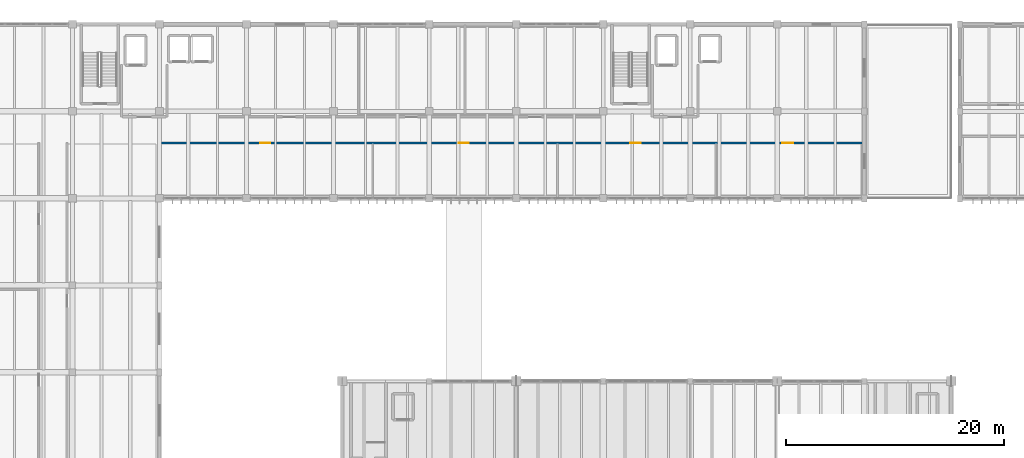
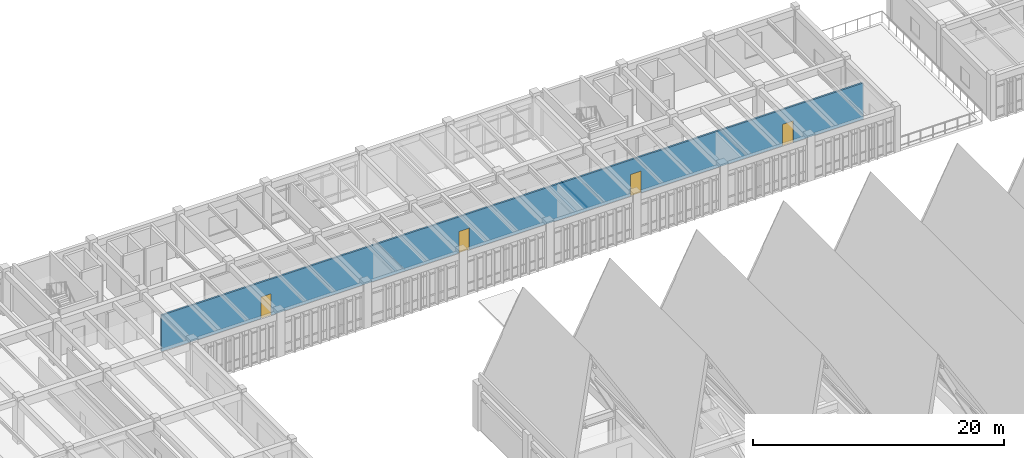
# One storey, part 49 of 72: 4 doors, 1 wall, 4 openings.
"""IFC4 building model written with IfcOpenShell, lengths in metres."""

import ifcopenshell
import ifcopenshell.guid

model = None  # the IFC model being written
_history = None  # IfcOwnerHistory: only IFC2X3 demands one
_inside = {}  # id of a spatial element -> (the spatial element, [elements in it])
_under = {}  # id of a project, library or spatial element -> (it, [spatial elements below it])
_declared = {}  # id of a project -> (the project, [libraries it declares])
_typed = {}  # id of a type object -> (the type object, [elements of that type])
_made_of = {}  # id of a material, layer set ... -> (it, [elements and type objects made of it])


def new_model(schema):
    """Start an empty IFC model of exactly this schema.

    Asked for "IFC4X3", IfcOpenShell would pick the latest addendum, in which some entities
    have other attributes; the version numbers below select the first issue.
    IFC2X3 requires an IfcOwnerHistory on every rooted entity: one is made here for all.
    """
    global model, _history
    if schema == "IFC4X3":
        model = ifcopenshell.file(schema_version=(4, 3, 0, 0))
    else:
        model = ifcopenshell.file(schema=schema)
    _inside.clear()
    _under.clear()
    _declared.clear()
    _typed.clear()
    _made_of.clear()
    _history = None
    if model.schema == "IFC2X3":
        org = make("IfcOrganization", Name="unknown")
        user = make(
            "IfcPersonAndOrganization",
            ThePerson=make("IfcPerson", FamilyName="unknown"),
            TheOrganization=org,
        )
        app = make(
            "IfcApplication",
            ApplicationDeveloper=org,
            Version="unknown",
            ApplicationFullName="unknown",
            ApplicationIdentifier="unknown",
        )
        _history = make(
            "IfcOwnerHistory",
            OwningUser=user,
            OwningApplication=app,
            ChangeAction="ADDED",
            CreationDate=0,
        )
    return model


def make(cls, **values):
    """One entity of the class cls with the attributes given. An attribute that is None is left unset."""
    return model.create_entity(
        cls, **{name: value for name, value in values.items() if value is not None}
    )


def rooted(cls, **values):
    """An entity with a GlobalId (a new one), such as an element, a storey or a relation."""
    return make(cls, GlobalId=ifcopenshell.guid.new(), OwnerHistory=_history, **values)


def si_unit(unit_type, name, prefix=None):
    """IfcSIUnit, for example si_unit("LENGTHUNIT", "METRE", prefix="MILLI")."""
    return make("IfcSIUnit", UnitType=unit_type, Prefix=prefix, Name=name)


def assignment(units):
    """IfcUnitAssignment: the units of a project."""
    return None if units is None else make("IfcUnitAssignment", Units=units)


def point(xyz):
    """IfcCartesianPoint."""
    return None if xyz is None else make("IfcCartesianPoint", Coordinates=xyz)


def direction(xyz):
    """IfcDirection."""
    return None if xyz is None else make("IfcDirection", DirectionRatios=xyz)


def frame(location, z_axis=None, x_axis=None):
    """IfcAxis2Placement3D, a coordinate frame: its origin and axes. An axis left out is left unset."""
    return make(
        "IfcAxis2Placement3D",
        Location=point(location),
        Axis=direction(z_axis),
        RefDirection=direction(x_axis),
    )


def frame_2d(location, x_axis=None):
    """IfcAxis2Placement2D, a coordinate frame in the plane: its origin and x axis."""
    return make(
        "IfcAxis2Placement2D", Location=point(location), RefDirection=direction(x_axis)
    )


def origin():
    """The frame at (0, 0, 0) with its axes left unset."""
    return frame((0.0, 0.0, 0.0))


def place(relative_to, where):
    """IfcLocalPlacement: puts the frame where relative to a parent placement (None: the world)."""
    return make(
        "IfcLocalPlacement", PlacementRelTo=relative_to, RelativePlacement=where
    )


def context(
    kind, dimensions, precision=None, world=None, true_north=None, identifier=None
):
    """IfcGeometricRepresentationContext, for example the 3D "Model" context."""
    return make(
        "IfcGeometricRepresentationContext",
        ContextIdentifier=identifier,
        ContextType=kind,
        CoordinateSpaceDimension=dimensions,
        Precision=precision,
        WorldCoordinateSystem=world,
        TrueNorth=true_north,
    )


def subcontext(parent, identifier, kind, view, scale=None):
    """IfcGeometricRepresentationSubContext, for example "Body" below "Model"."""
    return make(
        "IfcGeometricRepresentationSubContext",
        ContextIdentifier=identifier,
        ContextType=kind,
        ParentContext=parent,
        TargetScale=scale,
        TargetView=view,
    )


def project(units=None, contexts=None):
    """IfcProject with its units and contexts."""
    return rooted(
        "IfcProject",
        Name="project",
        RepresentationContexts=contexts,
        UnitsInContext=assignment(units),
    )


def spatial(cls, under=None, at=None, **own):
    """A site, building, storey or space (cls), placed at a placement, below another one or the project."""
    s = rooted(cls, ObjectPlacement=at, **own)
    if under is not None:
        _under.setdefault(under.id(), (under, []))[1].append(s)
    return s


def profile(cls, at=None, kind="AREA", **sizes):
    """A parametric profile (cls). Its sizes go by their IFC names, for example OverallWidth=200.0."""
    return make(cls, ProfileType=kind, Position=at, **sizes)


def rectangle(**sizes):
    """IfcRectangleProfileDef."""
    return profile("IfcRectangleProfileDef", **sizes)


def extrude(swept, where, along, depth):
    """IfcExtrudedAreaSolid: the profile swept, set in the frame where, extruded along a direction by depth."""
    return make(
        "IfcExtrudedAreaSolid",
        SweptArea=swept,
        Position=where,
        ExtrudedDirection=direction(along),
        Depth=depth,
    )


def shape(context_of_items, identifier, shape_type, items):
    """IfcShapeRepresentation: the items that make up one representation, for example the "Body"."""
    return make(
        "IfcShapeRepresentation",
        ContextOfItems=context_of_items,
        RepresentationIdentifier=identifier,
        RepresentationType=shape_type,
        Items=items,
    )


def material(Name=None, Category=None):
    """IfcMaterial."""
    return make("IfcMaterial", Name=Name, Category=Category)


def layer(
    of_material, thickness, ventilated=None, Name=None, Category=None, Priority=None
):
    """IfcMaterialLayer: one layer of a wall or slab, of a material (None: an air gap)."""
    return make(
        "IfcMaterialLayer",
        Material=of_material,
        LayerThickness=thickness,
        IsVentilated=ventilated,
        Name=Name,
        Category=Category,
        Priority=Priority,
    )


def layer_set(layers, Name=None):
    """IfcMaterialLayerSet."""
    return make("IfcMaterialLayerSet", MaterialLayers=layers, LayerSetName=Name)


def made_of(thing, what):
    """Note that an element or type object is made of a material, layer set ...; save() writes the relation."""
    if what is not None:
        _made_of.setdefault(what.id(), (what, []))[1].append(thing)
    return thing


def type_object(cls, material=None, **own):
    """A type object (cls), such as IfcWallType, which elements share."""
    return made_of(rooted(cls, **own), material)


def element(
    cls,
    number,
    at=None,
    inside=None,
    cuts=None,
    type_object=None,
    material=None,
    context=None,
    identifier="Body",
    shape_type=None,
    held_by="IfcProductDefinitionShape",
    body=None,
    shapes=None,
    **own,
):
    """One element of the class cls, such as IfcWall. Its Tag is "e" and its number.

    at: its placement. inside: the storey or other place that contains it. cuts: it is an
    opening in that element (IfcRelVoidsElement). A single representation is given by context,
    identifier, shape_type and body (its items); several are given by shapes. held_by: the class
    of the entity that holds the representations. save() writes the other relations.
    """
    e = rooted(cls, Tag="e%d" % number, ObjectPlacement=at, **own)
    if body is not None:
        shapes = [shape(context, identifier, shape_type, body)]
    if shapes is not None:
        e.Representation = make(held_by, Representations=shapes)
    if inside is not None:
        _inside.setdefault(inside.id(), (inside, []))[1].append(e)
    if cuts is not None:
        rooted(
            "IfcRelVoidsElement", RelatingBuildingElement=cuts, RelatedOpeningElement=e
        )
    if type_object is not None:
        _typed.setdefault(type_object.id(), (type_object, []))[1].append(e)
    return made_of(e, material)


def fill(opening, filler):
    """IfcRelFillsElement: the door or window that sits in an opening."""
    return rooted(
        "IfcRelFillsElement",
        RelatingOpeningElement=opening,
        RelatedBuildingElement=filler,
    )


def aggregate(whole, parts):
    """IfcRelAggregates: a whole, such as a stair, and the parts it consists of."""
    return rooted("IfcRelAggregates", RelatingObject=whole, RelatedObjects=parts)


def save(model, path):
    """Write the relations noted so far, then the file.

    IfcRelAggregates (storeys below a building ...), IfcRelContainedInSpatialStructure (elements
    in a storey), IfcRelDefinesByType, IfcRelAssociatesMaterial and IfcRelDeclares: one each for
    every whole, place, type object, material and project.
    """
    for whole, parts in _under.values():
        aggregate(whole, parts)
    for where, things in _inside.values():
        rooted(
            "IfcRelContainedInSpatialStructure",
            RelatedElements=things,
            RelatingStructure=where,
        )
    for kind, things in _typed.values():
        rooted("IfcRelDefinesByType", RelatedObjects=things, RelatingType=kind)
    for what, things in _made_of.values():
        rooted("IfcRelAssociatesMaterial", RelatedObjects=things, RelatingMaterial=what)
    for by, libraries in _declared.values():
        rooted("IfcRelDeclares", RelatingContext=by, RelatedDefinitions=libraries)
    model.write(path)


model = new_model("IFC4")

# Units and contexts
model_context = context("Model", 3, precision=1e-05, world=origin(), true_north=direction((0.0, 1.0)))
body_context = subcontext(model_context, "Body", "Model", "MODEL_VIEW")
ifc_project = project(units=[si_unit("LENGTHUNIT", "METRE"), si_unit("AREAUNIT", "SQUARE_METRE"), si_unit("VOLUMEUNIT", "CUBIC_METRE"), si_unit("PLANEANGLEUNIT", "RADIAN"), si_unit("MASSUNIT", "GRAM", prefix="KILO")], contexts=[model_context])

# Site, building, storey
site_placement = place(None, origin())
site = spatial("IfcSite", under=ifc_project, at=site_placement, CompositionType="ELEMENT")
building_placement = place(site_placement, origin())
building = spatial("IfcBuilding", under=site, at=building_placement, Name="Tlaxcora Railside Police Headquarters", CompositionType="ELEMENT")
storey_placement = place(building_placement, frame((0.0, 0.0, 13.5)))
storey = spatial("IfcBuildingStorey", under=building, at=storey_placement, Name="L03", CompositionType="ELEMENT", Elevation=13.5)

# Wall, openings, doors
ifc_material_1 = material(Name="Gypsum acoustic partition board")
ifc_layer = layer(ifc_material_1, 0.159912109375, Name="Gypsum acoustic partition board")
ifc_layer_set = layer_set([ifc_layer], Name="Gypsum acoustic partition board")
wall_type = type_object("IfcWallType", Name="Interior Partition Wall IW-73", PredefinedType="PARTITIONING", material=ifc_layer_set)
wall_placement = place(storey_placement, frame((29.300048828125, 81.89990234375, 0.0), z_axis=(0.0, 0.0, 1.0), x_axis=(1.0, 0.0, 0.0)))
wall = element("IfcWall", 1, at=wall_placement, inside=storey, type_object=wall_type, Name="V5 L03 interior partition 192", PredefinedType="PARTITIONING", context=body_context, shape_type="SweptSolid", body=[
    extrude(rectangle(XDim=64.619873046875, YDim=0.159912109375, at=frame_2d((32.31005859375, 0.0))), origin(), (0.0, 0.0, 1.0), 3.52490234375),
])
opening_1_placement = place(wall_placement, frame((9.169921875, 0.0, 0.0)))
opening_1 = element("IfcOpeningElement", 2, at=opening_1_placement, cuts=wall, Name="Opening D-L03-218", PredefinedType="OPENING", context=body_context, shape_type="SweptSolid", body=[
    extrude(rectangle(XDim=0.919921875, YDim=2.10009765625, at=frame_2d((0.4599609375, 1.050048828125))), frame((0.0, 0.08984375, 0.0), z_axis=(0.0, -1.0, 0.0), x_axis=(1.0, 0.0, 0.0)), (0.0, 0.0, 1.0), 0.179931640625),
])
opening_2_placement = place(wall_placement, frame((27.39990234375, 0.0, 0.0)))
opening_2 = element("IfcOpeningElement", 3, at=opening_2_placement, cuts=wall, Name="Opening D-L03-219", PredefinedType="OPENING", context=body_context, shape_type="SweptSolid", body=[
    extrude(rectangle(XDim=0.949951171875, YDim=2.10009765625, at=frame_2d((0.47509765625, 1.050048828125))), frame((0.0, 0.08984375, 0.0), z_axis=(0.0, -1.0, 0.0), x_axis=(1.0, 0.0, 0.0)), (0.0, 0.0, 1.0), 0.179931640625),
])
opening_3_placement = place(wall_placement, frame((43.179931640625, 0.0, 0.0)))
opening_3 = element("IfcOpeningElement", 4, at=opening_3_placement, cuts=wall, Name="Opening D-L03-220", PredefinedType="OPENING", context=body_context, shape_type="SweptSolid", body=[
    extrude(rectangle(XDim=0.97998046875, YDim=2.1201171875, at=frame_2d((0.489990234375, 1.06005859375))), frame((0.0, 0.08984375, 0.0), z_axis=(0.0, -1.0, 0.0), x_axis=(1.0, 0.0, 0.0)), (0.0, 0.0, 1.0), 0.179931640625),
])
opening_4_placement = place(wall_placement, frame((57.169921875, 0.0, 0.0)))
opening_4 = element("IfcOpeningElement", 5, at=opening_4_placement, cuts=wall, Name="Opening D-L03-221", PredefinedType="OPENING", context=body_context, shape_type="SweptSolid", body=[
    extrude(rectangle(XDim=1.0, YDim=2.10009765625, at=frame_2d((0.5, 1.050048828125))), frame((0.0, 0.08984375, 0.0), z_axis=(0.0, -1.0, 0.0), x_axis=(1.0, 0.0, 0.0)), (0.0, 0.0, 1.0), 0.179931640625),
])
ifc_material_2 = material(Name="Steel ASTM A992 Grade 50", Category="steel")
door_type_1 = type_object("IfcDoorType", Name="Swing or Sliding Personnel Door ID-49", OperationType="NOTDEFINED", PredefinedType="DOOR", material=ifc_material_2)
door_1_placement = place(opening_1_placement, origin())
door_1 = element("IfcDoor", 6, at=door_1_placement, inside=storey, type_object=door_type_1, Name="V5 L03 door D-L03-218", OperationType="SINGLE_SWING_RIGHT", OverallHeight=2.10009765625, OverallWidth=0.919921875, PredefinedType="DOOR", context=body_context, shape_type="SweptSolid", body=[
    extrude(rectangle(XDim=0.919921875, YDim=2.10009765625, at=frame_2d((0.4599609375, 1.050048828125))), frame((0.0, 0.02490234375, 0.0), z_axis=(0.0, -1.0, 0.0), x_axis=(1.0, 0.0, 0.0)), (0.0, 0.0, 1.0), 0.050048828125),
])
fill(opening_1, door_1)
door_type_2 = type_object("IfcDoorType", Name="Swing or Sliding Personnel Door ID-74", OperationType="NOTDEFINED", PredefinedType="DOOR", material=ifc_material_2)
door_2_placement = place(opening_3_placement, origin())
door_2 = element("IfcDoor", 7, at=door_2_placement, inside=storey, type_object=door_type_2, Name="V5 L03 door D-L03-220", OperationType="SINGLE_SWING_RIGHT", OverallHeight=2.1201171875, OverallWidth=0.97998046875, PredefinedType="DOOR", context=body_context, shape_type="SweptSolid", body=[
    extrude(rectangle(XDim=0.97998046875, YDim=2.1201171875, at=frame_2d((0.489990234375, 1.06005859375))), frame((0.0, 0.02490234375, 0.0), z_axis=(0.0, -1.0, 0.0), x_axis=(1.0, 0.0, 0.0)), (0.0, 0.0, 1.0), 0.050048828125),
])
fill(opening_3, door_2)
door_type_3 = type_object("IfcDoorType", Name="Swing or Sliding Personnel Door ID-87", OperationType="NOTDEFINED", PredefinedType="DOOR", material=ifc_material_2)
door_3_placement = place(opening_2_placement, origin())
door_3 = element("IfcDoor", 8, at=door_3_placement, inside=storey, type_object=door_type_3, Name="V5 L03 door D-L03-219", OperationType="SINGLE_SWING_LEFT", OverallHeight=2.10009765625, OverallWidth=0.949951171875, PredefinedType="DOOR", context=body_context, shape_type="SweptSolid", body=[
    extrude(rectangle(XDim=0.949951171875, YDim=2.10009765625, at=frame_2d((0.47509765625, 1.050048828125))), frame((0.0, 0.02490234375, 0.0), z_axis=(0.0, -1.0, 0.0), x_axis=(1.0, 0.0, 0.0)), (0.0, 0.0, 1.0), 0.050048828125),
])
fill(opening_2, door_3)
door_type_4 = type_object("IfcDoorType", Name="Swing or Sliding Personnel Door ID-89", OperationType="NOTDEFINED", PredefinedType="DOOR", material=ifc_material_2)
door_4_placement = place(opening_4_placement, origin())
door_4 = element("IfcDoor", 9, at=door_4_placement, inside=storey, type_object=door_type_4, Name="V5 L03 door D-L03-221", OperationType="SINGLE_SWING_LEFT", OverallHeight=2.10009765625, OverallWidth=1.0, PredefinedType="DOOR", context=body_context, shape_type="SweptSolid", body=[
    extrude(rectangle(XDim=1.0, YDim=2.10009765625, at=frame_2d((0.5, 1.050048828125))), frame((0.0, 0.02490234375, 0.0), z_axis=(0.0, -1.0, 0.0), x_axis=(1.0, 0.0, 0.0)), (0.0, 0.0, 1.0), 0.050048828125),
])
fill(opening_4, door_4)

save(model, "model.ifc")
